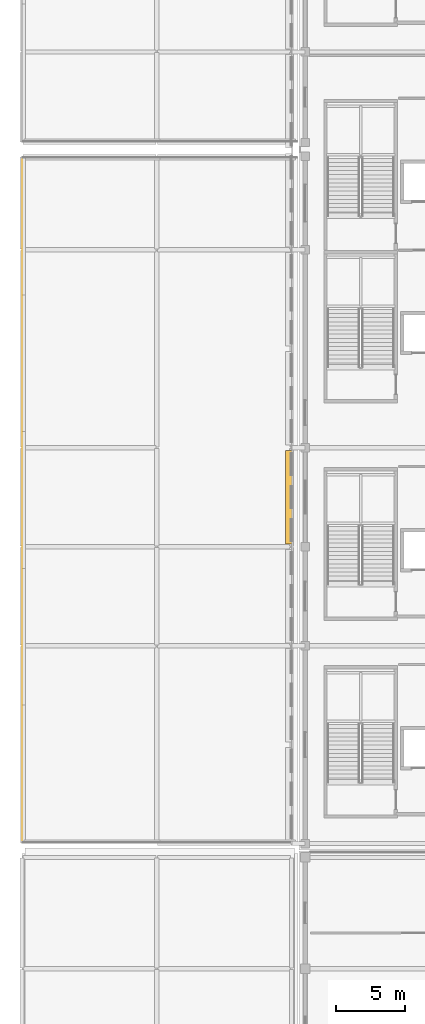
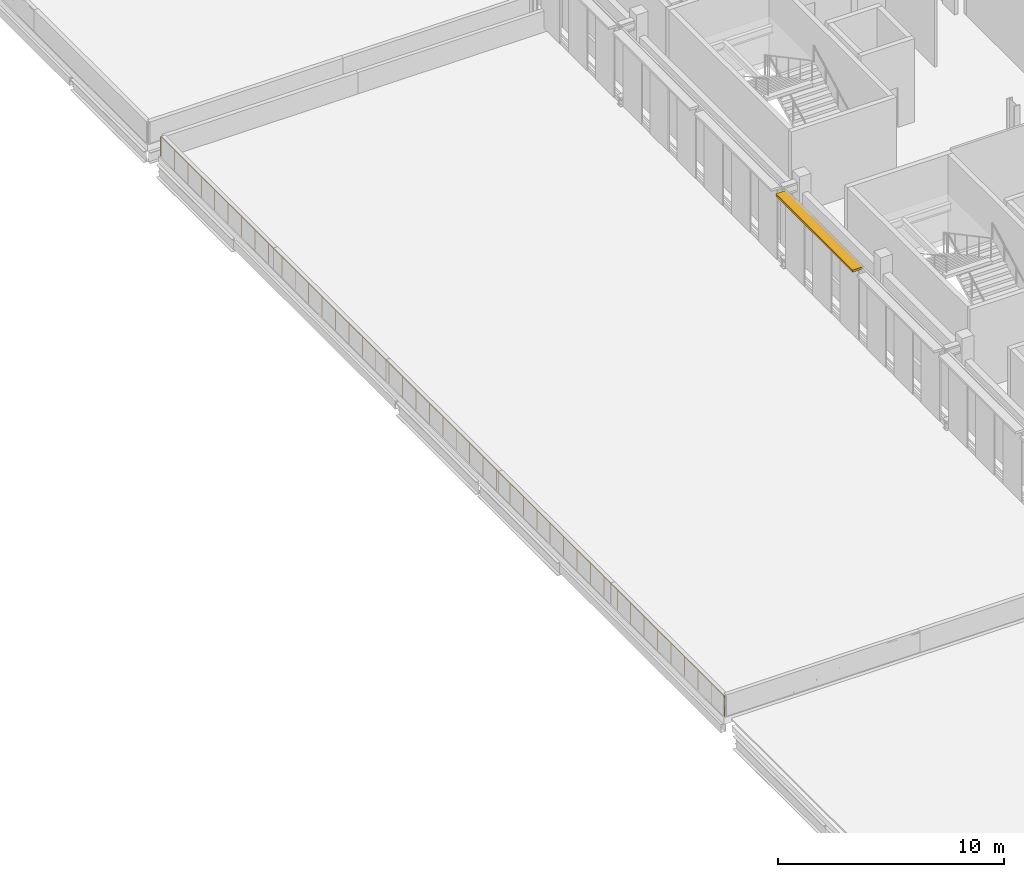
# One storey, part 53 of 74: 1 railing, 1 shading device.
"""IFC4 building model written with IfcOpenShell, lengths in metres."""

from ifc_helpers import new_model, si_unit, direction, frame, origin, origin_2d, place, context, subcontext, project, spatial, rectangle, circle, extrude, material, type_object, element, save


model = new_model("IFC4")

# Units and contexts
model_context = context("Model", 3, precision=1e-05, world=origin(), true_north=direction((0.0, 1.0)))
body_context = subcontext(model_context, "Body", "Model", "MODEL_VIEW")
ifc_project = project(units=[si_unit("LENGTHUNIT", "METRE"), si_unit("AREAUNIT", "SQUARE_METRE"), si_unit("VOLUMEUNIT", "CUBIC_METRE"), si_unit("PLANEANGLEUNIT", "RADIAN"), si_unit("MASSUNIT", "GRAM", prefix="KILO")], contexts=[model_context])

# Site, building, storey
site_placement = place(None, origin())
site = spatial("IfcSite", under=ifc_project, at=site_placement, CompositionType="ELEMENT")
building_placement = place(site_placement, origin())
building = spatial("IfcBuilding", under=site, at=building_placement, Name="Koshinbarg Plaza Stadium", CompositionType="ELEMENT")
storey_placement = place(building_placement, frame((0.0, 0.0, 15.0)))
storey = spatial("IfcBuildingStorey", under=building, at=storey_placement, Name="L03", CompositionType="ELEMENT", Elevation=15.0)

# Railing
ifc_material_1 = material(Name="Galvanized painted steel guardrail", Category="steel")
railing_type = type_object("IfcRailingType", Name="RL-GUARD-1100", PredefinedType="GUARDRAIL", material=ifc_material_1)
railing_placement = place(storey_placement, frame((4.080078125, 75.419921875, 0.0)))
element("IfcRailing", 1, at=railing_placement, inside=storey, type_object=railing_type, Name="L03 roof garden RG-L03-SW guard 0006", PredefinedType="GUARDRAIL", context=body_context, shape_type="SweptSolid", body=[
    extrude(circle(Radius=0.02392578125, at=origin_2d()), frame((0.0, 0.0, 1.076171875), z_axis=(0.0, -1.0, 0.0), x_axis=(1.0, 0.0, 0.0)), (0.0, 0.0, 1.0), 49.83984375),
    extrude(circle(Radius=0.02099609375, at=origin_2d()), origin(), (0.0, 0.0, 1.0), 1.052001953125),
    extrude(circle(Radius=0.02099609375, at=origin_2d()), frame((0.0, -1.186767578125, 0.0)), (0.0, 0.0, 1.0), 1.052001953125),
    extrude(circle(Radius=0.02099609375, at=origin_2d()), frame((0.0, -2.373291015625, 0.0)), (0.0, 0.0, 1.0), 1.052001953125),
    extrude(circle(Radius=0.02099609375, at=origin_2d()), frame((0.0, -3.56005859375, 0.0)), (0.0, 0.0, 1.0), 1.052001953125),
    extrude(circle(Radius=0.02099609375, at=origin_2d()), frame((0.0, -4.74658203125, 0.0)), (0.0, 0.0, 1.0), 1.052001953125),
    extrude(circle(Radius=0.02099609375, at=origin_2d()), frame((0.0, -5.933349609375, 0.0)), (0.0, 0.0, 1.0), 1.052001953125),
    extrude(circle(Radius=0.02099609375, at=origin_2d()), frame((0.0, -7.119873046875, 0.0)), (0.0, 0.0, 1.0), 1.052001953125),
    extrude(circle(Radius=0.02099609375, at=origin_2d()), frame((0.0, -8.306640625, 0.0)), (0.0, 0.0, 1.0), 1.052001953125),
    extrude(circle(Radius=0.02099609375, at=origin_2d()), frame((0.0, -9.493408203125, 0.0)), (0.0, 0.0, 1.0), 1.052001953125),
    extrude(circle(Radius=0.02099609375, at=origin_2d()), frame((0.0, -10.679931640625, 0.0)), (0.0, 0.0, 1.0), 1.052001953125),
    extrude(circle(Radius=0.02099609375, at=origin_2d()), frame((0.0, -11.86669921875, 0.0)), (0.0, 0.0, 1.0), 1.052001953125),
    extrude(circle(Radius=0.02099609375, at=origin_2d()), frame((0.0, -13.05322265625, 0.0)), (0.0, 0.0, 1.0), 1.052001953125),
    extrude(circle(Radius=0.02099609375, at=origin_2d()), frame((0.0, -14.239990234375, 0.0)), (0.0, 0.0, 1.0), 1.052001953125),
    extrude(circle(Radius=0.02099609375, at=origin_2d()), frame((0.0, -15.426513671875, 0.0)), (0.0, 0.0, 1.0), 1.052001953125),
    extrude(circle(Radius=0.02099609375, at=origin_2d()), frame((0.0, -16.61328125, 0.0)), (0.0, 0.0, 1.0), 1.052001953125),
    extrude(circle(Radius=0.02099609375, at=origin_2d()), frame((0.0, -17.800048828125, 0.0)), (0.0, 0.0, 1.0), 1.052001953125),
    extrude(circle(Radius=0.02099609375, at=origin_2d()), frame((0.0, -18.986572265625, 0.0)), (0.0, 0.0, 1.0), 1.052001953125),
    extrude(circle(Radius=0.02099609375, at=origin_2d()), frame((0.0, -20.17333984375, 0.0)), (0.0, 0.0, 1.0), 1.052001953125),
    extrude(circle(Radius=0.02099609375, at=origin_2d()), frame((0.0, -21.35986328125, 0.0)), (0.0, 0.0, 1.0), 1.052001953125),
    extrude(circle(Radius=0.02099609375, at=origin_2d()), frame((0.0, -22.546630859375, 0.0)), (0.0, 0.0, 1.0), 1.052001953125),
    extrude(circle(Radius=0.02099609375, at=origin_2d()), frame((0.0, -23.733154296875, 0.0)), (0.0, 0.0, 1.0), 1.052001953125),
    extrude(circle(Radius=0.02099609375, at=origin_2d()), frame((0.0, -24.919921875, 0.0)), (0.0, 0.0, 1.0), 1.052001953125),
    extrude(circle(Radius=0.02099609375, at=origin_2d()), frame((0.0, -26.106689453125, 0.0)), (0.0, 0.0, 1.0), 1.052001953125),
    extrude(circle(Radius=0.02099609375, at=origin_2d()), frame((0.0, -27.293212890625, 0.0)), (0.0, 0.0, 1.0), 1.052001953125),
    extrude(circle(Radius=0.02099609375, at=origin_2d()), frame((0.0, -28.47998046875, 0.0)), (0.0, 0.0, 1.0), 1.052001953125),
    extrude(circle(Radius=0.02099609375, at=origin_2d()), frame((0.0, -29.66650390625, 0.0)), (0.0, 0.0, 1.0), 1.052001953125),
    extrude(circle(Radius=0.02099609375, at=origin_2d()), frame((0.0, -30.853271484375, 0.0)), (0.0, 0.0, 1.0), 1.052001953125),
    extrude(circle(Radius=0.02099609375, at=origin_2d()), frame((0.0, -32.039794921875, 0.0)), (0.0, 0.0, 1.0), 1.052001953125),
    extrude(circle(Radius=0.02099609375, at=origin_2d()), frame((0.0, -33.2265625, 0.0)), (0.0, 0.0, 1.0), 1.052001953125),
    extrude(circle(Radius=0.02099609375, at=origin_2d()), frame((0.0, -34.413330078125, 0.0)), (0.0, 0.0, 1.0), 1.052001953125),
    extrude(circle(Radius=0.02099609375, at=origin_2d()), frame((0.0, -35.599853515625, 0.0)), (0.0, 0.0, 1.0), 1.052001953125),
    extrude(circle(Radius=0.02099609375, at=origin_2d()), frame((0.0, -36.78662109375, 0.0)), (0.0, 0.0, 1.0), 1.052001953125),
    extrude(circle(Radius=0.02099609375, at=origin_2d()), frame((0.0, -37.97314453125, 0.0)), (0.0, 0.0, 1.0), 1.052001953125),
    extrude(circle(Radius=0.02099609375, at=origin_2d()), frame((0.0, -39.159912109375, 0.0)), (0.0, 0.0, 1.0), 1.052001953125),
    extrude(circle(Radius=0.02099609375, at=origin_2d()), frame((0.0, -40.346435546875, 0.0)), (0.0, 0.0, 1.0), 1.052001953125),
    extrude(circle(Radius=0.02099609375, at=origin_2d()), frame((0.0, -41.533203125, 0.0)), (0.0, 0.0, 1.0), 1.052001953125),
    extrude(circle(Radius=0.02099609375, at=origin_2d()), frame((0.0, -42.719970703125, 0.0)), (0.0, 0.0, 1.0), 1.052001953125),
    extrude(circle(Radius=0.02099609375, at=origin_2d()), frame((0.0, -43.906494140625, 0.0)), (0.0, 0.0, 1.0), 1.052001953125),
    extrude(circle(Radius=0.02099609375, at=origin_2d()), frame((0.0, -45.09326171875, 0.0)), (0.0, 0.0, 1.0), 1.052001953125),
    extrude(circle(Radius=0.02099609375, at=origin_2d()), frame((0.0, -46.27978515625, 0.0)), (0.0, 0.0, 1.0), 1.052001953125),
    extrude(circle(Radius=0.02099609375, at=origin_2d()), frame((0.0, -47.466552734375, 0.0)), (0.0, 0.0, 1.0), 1.052001953125),
    extrude(circle(Radius=0.02099609375, at=origin_2d()), frame((0.0, -48.653076171875, 0.0)), (0.0, 0.0, 1.0), 1.052001953125),
    extrude(circle(Radius=0.02099609375, at=origin_2d()), frame((0.0, -49.83984375, 0.0)), (0.0, 0.0, 1.0), 1.052001953125),
])

# Shading device
ifc_material_2 = material(Name="Off-white powder-coated aluminium sun-baffle louvre", Category="aluminium")
shading_device_type = type_object("IfcShadingDeviceType", Name="SHD-LOUVRE-01", PredefinedType="USERDEFINED", material=ifc_material_2)
shading_device_placement = place(storey_placement, frame((23.429931640625, 50.699951171875, 4.119873046875), z_axis=(0.0, 0.0, 1.0), x_axis=(1.0, 0.0, 0.0)))
element("IfcShadingDevice", 2, at=shading_device_placement, inside=storey, type_object=shading_device_type, Name="L03 solar brise-soleil louvre 04", ObjectType="LOUVRE", PredefinedType="USERDEFINED", context=body_context, shape_type="SweptSolid", body=[
    extrude(rectangle(XDim=0.550048828125, YDim=6.800048828125, at=origin_2d()), origin(), (0.0, 0.0, 1.0), 0.1201171875),
])

save(model, "model.ifc")
